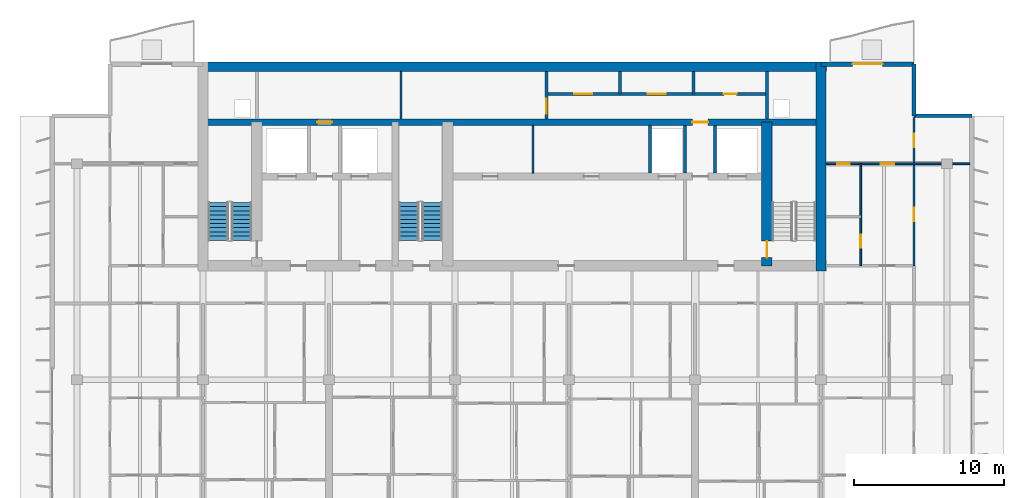
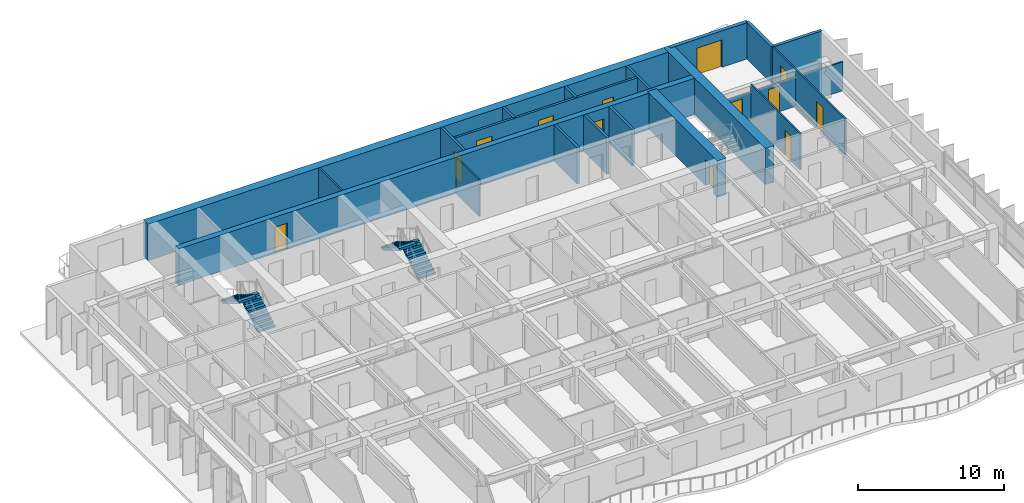
# One storey, part 11 of 17: 20 walls, 13 doors, 4 stair flights, 13 openings, 2 elements without a shape of their own.
"""IFC4 building model written with IfcOpenShell, lengths in metres."""

from ifc_helpers import new_model, si_unit, direction, frame, frame_2d, origin, place, context, subcontext, project, spatial, polyline, rectangle, outline, extrude, material, layer, layer_set, type_object, element, fill, aggregate, save


model = new_model("IFC4")

# Units and contexts
model_context = context("Model", 3, precision=1e-05, world=origin(), true_north=direction((0.0, 1.0)))
body_context = subcontext(model_context, "Body", "Model", "MODEL_VIEW")
ifc_project = project(units=[si_unit("LENGTHUNIT", "METRE"), si_unit("AREAUNIT", "SQUARE_METRE"), si_unit("VOLUMEUNIT", "CUBIC_METRE"), si_unit("PLANEANGLEUNIT", "RADIAN"), si_unit("MASSUNIT", "GRAM", prefix="KILO")], contexts=[model_context])

# Site, building, storey
site_placement = place(None, origin())
site = spatial("IfcSite", under=ifc_project, at=site_placement, CompositionType="ELEMENT")
building_placement = place(site_placement, origin())
building = spatial("IfcBuilding", under=site, at=building_placement, Name="Caelmar Bay Residences", CompositionType="ELEMENT")
storey_placement = place(building_placement, frame((0.0, 0.0, 226.5)))
storey = spatial("IfcBuildingStorey", under=building, at=storey_placement, Name="L63", CompositionType="ELEMENT", Elevation=226.5)

# Wall
ifc_material_1 = material(Name="Concrete f'c 55 MPa (8,000 psi)", Category="concrete")
ifc_layer_1 = layer(ifc_material_1, 0.699951171875)
ifc_layer_set_1 = layer_set([ifc_layer_1], Name="Concrete f'c 55 MPa (8,000 psi)")
wall_type_1 = type_object("IfcWallType", Name="SW-COR-700", PredefinedType="SHEAR", material=ifc_layer_set_1)
wall_1_placement = place(storey_placement, frame((59.5, 36.64990234375, 0.0), z_axis=(0.0, 0.0, 1.0), x_axis=(0.0, 1.0, 0.0)))
element("IfcWall", 1, at=wall_1_placement, inside=storey, type_object=wall_type_1, Name="L63 Rear Core East Shear Wall", PredefinedType="SHEAR", context=body_context, shape_type="SweptSolid", body=[
    extrude(rectangle(XDim=13.9501953125, YDim=0.699951171875, at=frame_2d((6.97509765625, 0.0))), origin(), (0.0, 0.0, 1.0), 3.050048828125),
])

# Wall, opening, door
wall_2_placement = place(storey_placement, frame((55.89990234375, 37.0, 0.0), z_axis=(0.0, 0.0, 1.0), x_axis=(0.0, 1.0, 0.0)))
wall_2 = element("IfcWall", 2, at=wall_2_placement, inside=storey, type_object=wall_type_1, Name="L63 Core Structural Web Wall ST2W", PredefinedType="SHEAR", context=body_context, shape_type="SweptSolid", body=[
    extrude(rectangle(XDim=9.574951171875, YDim=0.699951171875, at=frame_2d((4.78759765625, 0.0))), origin(), (0.0, 0.0, 1.0), 3.050048828125),
])
opening_1_placement = place(wall_2_placement, frame((0.550048828125, 0.0, 0.0)))
opening_1 = element("IfcOpeningElement", 3, at=opening_1_placement, cuts=wall_2, Name="Opening D-L63-110", PredefinedType="OPENING", context=body_context, shape_type="SweptSolid", body=[
    extrude(rectangle(XDim=1.10009765625, YDim=2.14990234375, at=frame_2d((0.550048828125, 1.074951171875))), frame((0.0, 0.35986328125, 0.0), z_axis=(0.0, -1.0, 0.0), x_axis=(1.0, 0.0, 0.0)), (0.0, 0.0, 1.0), 0.719970703125),
])
ifc_material_2 = material(Name="Fire-rated steel and walnut architectural door assembly", Category="steel")
ifc_layer_2 = layer(ifc_material_2, 0.050048828125)
ifc_layer_set_2 = layer_set([ifc_layer_2], Name="Fire-rated steel and walnut architectural door assembly")
door_type_1 = type_object("IfcDoorType", Name="D-STAIR-1100", OperationType="NOTDEFINED", PredefinedType="DOOR", material=ifc_layer_set_2)
door_1_placement = place(opening_1_placement, origin())
door_1 = element("IfcDoor", 4, at=door_1_placement, inside=storey, type_object=door_type_1, Name="L63 Firefighting Lobby East Door", OperationType="SINGLE_SWING_LEFT", OverallHeight=2.14990234375, OverallWidth=1.10009765625, PredefinedType="DOOR", context=body_context, shape_type="SweptSolid", body=[
    extrude(rectangle(XDim=1.10009765625, YDim=2.14990234375, at=frame_2d((0.550048828125, 1.074951171875))), frame((0.0, 0.02490234375, 0.0), z_axis=(0.0, -1.0, 0.0), x_axis=(1.0, 0.0, 0.0)), (0.0, 0.0, 1.0), 0.050048828125),
])
fill(opening_1, door_1)

# Wall
ifc_layer_3 = layer(ifc_material_1, 0.64990234375)
ifc_layer_set_3 = layer_set([ifc_layer_3], Name="Concrete f'c 55 MPa (8,000 psi)")
wall_type_2 = type_object("IfcWallType", Name="SW-CORN-650", PredefinedType="SHEAR", material=ifc_layer_set_3)
wall_3_placement = place(storey_placement, frame((17.949951171875, 50.27490234375, 0.0), z_axis=(0.0, 0.0, 1.0), x_axis=(1.0, 0.0, 0.0)))
element("IfcWall", 5, at=wall_3_placement, inside=storey, type_object=wall_type_2, Name="L63 Rear Core North Shear Wall", PredefinedType="SHEAR", context=body_context, shape_type="SweptSolid", body=[
    extrude(rectangle(XDim=41.900146484375, YDim=0.64990234375, at=frame_2d((20.9501953125, 0.0))), origin(), (0.0, 0.0, 1.0), 3.050048828125),
])

# Wall, openings, doors
ifc_material_3 = material(Name="Concrete f'c 70 MPa (10,000 psi)", Category="concrete")
ifc_layer_4 = layer(ifc_material_3, 0.449951171875)
ifc_layer_set_4 = layer_set([ifc_layer_4], Name="Concrete f'c 70 MPa (10,000 psi)")
wall_type_3 = type_object("IfcWallType", Name="SW-WEB-450", PredefinedType="SHEAR", material=ifc_layer_set_4)
wall_4_placement = place(storey_placement, frame((18.300048828125, 46.574951171875, 0.0), z_axis=(0.0, 0.0, 1.0), x_axis=(1.0, 0.0, 0.0)))
wall_4 = element("IfcWall", 6, at=wall_4_placement, inside=storey, type_object=wall_type_3, Name="L63 Core Structural Web Wall SRVS", PredefinedType="SHEAR", context=body_context, shape_type="SweptSolid", body=[
    extrude(rectangle(XDim=41.199951171875, YDim=0.449951171875, at=frame_2d((20.60009765625, 0.0))), origin(), (0.0, 0.0, 1.0), 3.050048828125),
])
opening_2_placement = place(wall_4_placement, frame((7.60009765625, 0.0, 0.0)))
opening_2 = element("IfcOpeningElement", 7, at=opening_2_placement, cuts=wall_4, Name="Opening D-L63-116", PredefinedType="OPENING", context=body_context, shape_type="SweptSolid", body=[
    extrude(rectangle(XDim=1.0, YDim=2.199951171875, at=frame_2d((0.5, 1.10009765625))), frame((0.0, 0.23486328125, 0.0), z_axis=(0.0, -1.0, 0.0), x_axis=(1.0, 0.0, 0.0)), (0.0, 0.0, 1.0), 0.469970703125),
])
opening_3_placement = place(wall_4_placement, frame((32.625, 0.0, 0.0)))
opening_3 = element("IfcOpeningElement", 8, at=opening_3_placement, cuts=wall_4, Name="Opening D-L63-117", PredefinedType="OPENING", context=body_context, shape_type="SweptSolid", body=[
    extrude(rectangle(XDim=1.050048828125, YDim=2.14990234375, at=frame_2d((0.52490234375, 1.074951171875))), frame((0.0, 0.23486328125, 0.0), z_axis=(0.0, -1.0, 0.0), x_axis=(1.0, 0.0, 0.0)), (0.0, 0.0, 1.0), 0.469970703125),
])
ifc_layer_5 = layer(ifc_material_2, 0.050048828125)
ifc_layer_set_5 = layer_set([ifc_layer_5], Name="Fire-rated steel and walnut architectural door assembly")
door_type_2 = type_object("IfcDoorType", Name="D-FSAE-1050", OperationType="NOTDEFINED", PredefinedType="DOOR", material=ifc_layer_set_5)
door_2_placement = place(opening_3_placement, origin())
door_2 = element("IfcDoor", 9, at=door_2_placement, inside=storey, type_object=door_type_2, Name="L63 East Core Service Corridor Door", OperationType="SINGLE_SWING_RIGHT", OverallHeight=2.14990234375, OverallWidth=1.050048828125, PredefinedType="DOOR", context=body_context, shape_type="SweptSolid", body=[
    extrude(rectangle(XDim=1.050048828125, YDim=2.14990234375, at=frame_2d((0.52490234375, 1.074951171875))), frame((0.0, 0.02490234375, 0.0), z_axis=(0.0, -1.0, 0.0), x_axis=(1.0, 0.0, 0.0)), (0.0, 0.0, 1.0), 0.050048828125),
])
fill(opening_3, door_2)
ifc_layer_6 = layer(ifc_material_2, 0.050048828125)
ifc_layer_set_6 = layer_set([ifc_layer_6], Name="Fire-rated steel and walnut architectural door assembly")
door_type_3 = type_object("IfcDoorType", Name="D-UNIT-1000", OperationType="NOTDEFINED", PredefinedType="DOOR", material=ifc_layer_set_6)
door_3_placement = place(opening_2_placement, origin())
door_3 = element("IfcDoor", 10, at=door_3_placement, inside=storey, type_object=door_type_3, Name="L63 Package Concierge Office Door", OperationType="SINGLE_SWING_LEFT", OverallHeight=2.199951171875, OverallWidth=1.0, PredefinedType="DOOR", context=body_context, shape_type="SweptSolid", body=[
    extrude(rectangle(XDim=1.0, YDim=2.199951171875, at=frame_2d((0.5, 1.10009765625))), frame((0.0, 0.02490234375, 0.0), z_axis=(0.0, -1.0, 0.0), x_axis=(1.0, 0.0, 0.0)), (0.0, 0.0, 1.0), 0.050048828125),
])
fill(opening_2, door_3)

# Wall, opening, door
ifc_material_4 = material(Name="Double-stud acoustic fire-rated gypsum partition 180 mm")
ifc_layer_7 = layer(ifc_material_4, 0.179931640625)
ifc_layer_set_7 = layer_set([ifc_layer_7], Name="Double-stud acoustic fire-rated gypsum partition 180 mm")
wall_type_4 = type_object("IfcWallType", Name="W-COR-200", PredefinedType="PARTITIONING", material=ifc_layer_set_7)
wall_5_placement = place(storey_placement, frame((41.199951171875, 46.794921875, 0.0), z_axis=(0.0, 0.0, 1.0), x_axis=(0.0, 1.0, 0.0)))
wall_5 = element("IfcWall", 11, at=wall_5_placement, inside=storey, type_object=wall_type_4, Name="L63 Partition Wall V054", PredefinedType="PARTITIONING", context=body_context, shape_type="SweptSolid", body=[
    extrude(rectangle(XDim=3.16015625, YDim=0.179931640625, at=frame_2d((1.580078125, 0.0))), origin(), (0.0, 0.0, 1.0), 3.050048828125),
])
opening_4_placement = place(wall_5_placement, frame((0.327392578125, 0.0, 0.0)))
opening_4 = element("IfcOpeningElement", 12, at=opening_4_placement, cuts=wall_5, Name="Opening D-L63-118", PredefinedType="OPENING", context=body_context, shape_type="SweptSolid", body=[
    extrude(rectangle(XDim=1.0, YDim=2.199951171875, at=frame_2d((0.5, 1.10009765625))), frame((0.0, 0.099853515625, 0.0), z_axis=(0.0, -1.0, 0.0), x_axis=(1.0, 0.0, 0.0)), (0.0, 0.0, 1.0), 0.199951171875),
])
door_4_placement = place(opening_4_placement, origin())
door_4 = element("IfcDoor", 13, at=door_4_placement, inside=storey, type_object=door_type_3, Name="L63 Engineering Control Office Door", OperationType="SINGLE_SWING_LEFT", OverallHeight=2.199951171875, OverallWidth=1.0, PredefinedType="DOOR", context=body_context, shape_type="SweptSolid", body=[
    extrude(rectangle(XDim=1.0, YDim=2.199951171875, at=frame_2d((0.5, 1.10009765625))), frame((0.0, 0.02490234375, 0.0), z_axis=(0.0, -1.0, 0.0), x_axis=(1.0, 0.0, 0.0)), (0.0, 0.0, 1.0), 0.050048828125),
])
fill(opening_4, door_4)

# Walls
for number, where, z_axis, x_axis, name in (
    (14, (46.10009765625, 48.449951171875, 0.0), (0.0, 0.0, 1.0), (0.0, 1.0, 0.0), "L63 Partition Wall V061"),
    (15, (51.0, 48.449951171875, 0.0), (0.0, 0.0, 1.0), (0.0, 1.0, 0.0), "L63 Partition Wall V071"),
):
    element("IfcWall", number, at=place(storey_placement, frame(where, z_axis=z_axis, x_axis=x_axis)), inside=storey, type_object=wall_type_4, Name=name, PredefinedType="PARTITIONING", context=body_context, shape_type="SweptSolid", body=[
        extrude(rectangle(XDim=1.505126953125, YDim=0.179931640625, at=frame_2d((0.75244140625, 0.0))), origin(), (0.0, 0.0, 1.0), 3.050048828125),
    ])

# Wall, openings, doors
wall_6_placement = place(storey_placement, frame((41.199951171875, 48.449951171875, 0.0), z_axis=(0.0, 0.0, 1.0), x_axis=(1.0, 0.0, 0.0)))
wall_6 = element("IfcWall", 16, at=wall_6_placement, inside=storey, type_object=wall_type_4, Name="L63 Partition Wall H129", PredefinedType="PARTITIONING", context=body_context, shape_type="SweptSolid", body=[
    extrude(rectangle(XDim=14.699951171875, YDim=0.179931640625, at=frame_2d((7.35009765625, 0.0))), origin(), (0.0, 0.0, 1.0), 3.050048828125),
])
opening_5_placement = place(wall_6_placement, frame((1.85009765625, 0.0, 0.0)))
opening_5 = element("IfcOpeningElement", 17, at=opening_5_placement, cuts=wall_6, Name="Opening D-L63-119", PredefinedType="OPENING", context=body_context, shape_type="SweptSolid", body=[
    extrude(rectangle(XDim=1.199951171875, YDim=2.199951171875, at=frame_2d((0.60009765625, 1.10009765625))), frame((0.0, 0.099853515625, 0.0), z_axis=(0.0, -1.0, 0.0), x_axis=(1.0, 0.0, 0.0)), (0.0, 0.0, 1.0), 0.199951171875),
])
opening_6_placement = place(wall_6_placement, frame((6.75, 0.0, 0.0)))
opening_6 = element("IfcOpeningElement", 18, at=opening_6_placement, cuts=wall_6, Name="Opening D-L63-120", PredefinedType="OPENING", context=body_context, shape_type="SweptSolid", body=[
    extrude(rectangle(XDim=1.199951171875, YDim=2.199951171875, at=frame_2d((0.60009765625, 1.10009765625))), frame((0.0, 0.099853515625, 0.0), z_axis=(0.0, -1.0, 0.0), x_axis=(1.0, 0.0, 0.0)), (0.0, 0.0, 1.0), 0.199951171875),
])
opening_7_placement = place(wall_6_placement, frame((11.824951171875, 0.0, 0.0)))
opening_7 = element("IfcOpeningElement", 19, at=opening_7_placement, cuts=wall_6, Name="Opening D-L63-121", PredefinedType="OPENING", context=body_context, shape_type="SweptSolid", body=[
    extrude(rectangle(XDim=0.85009765625, YDim=2.10009765625, at=frame_2d((0.425048828125, 1.050048828125))), frame((0.0, 0.099853515625, 0.0), z_axis=(0.0, -1.0, 0.0), x_axis=(1.0, 0.0, 0.0)), (0.0, 0.0, 1.0), 0.199951171875),
])
ifc_layer_8 = layer(ifc_material_2, 0.050048828125)
ifc_layer_set_8 = layer_set([ifc_layer_8], Name="Fire-rated steel and walnut architectural door assembly")
door_type_4 = type_object("IfcDoorType", Name="D-CORE-850", OperationType="NOTDEFINED", PredefinedType="DOOR", material=ifc_layer_set_8)
door_5_placement = place(opening_7_placement, origin())
door_5 = element("IfcDoor", 20, at=door_5_placement, inside=storey, type_object=door_type_4, Name="L63 Accessible Staff WC Door", OperationType="SINGLE_SWING_RIGHT", OverallHeight=2.10009765625, OverallWidth=0.85009765625, PredefinedType="DOOR", context=body_context, shape_type="SweptSolid", body=[
    extrude(rectangle(XDim=0.85009765625, YDim=2.10009765625, at=frame_2d((0.425048828125, 1.050048828125))), frame((0.0, 0.02490234375, 0.0), z_axis=(0.0, -1.0, 0.0), x_axis=(1.0, 0.0, 0.0)), (0.0, 0.0, 1.0), 0.050048828125),
])
fill(opening_7, door_5)
ifc_layer_9 = layer(ifc_material_2, 0.050048828125)
ifc_layer_set_9 = layer_set([ifc_layer_9], Name="Fire-rated steel and walnut architectural door assembly")
door_type_5 = type_object("IfcDoorType", Name="D-PLANT-1200", OperationType="NOTDEFINED", PredefinedType="DOOR", material=ifc_layer_set_9)
door_6_placement = place(opening_5_placement, origin())
door_6 = element("IfcDoor", 21, at=door_6_placement, inside=storey, type_object=door_type_5, Name="L63 Electrical Closet Door", OperationType="SINGLE_SWING_RIGHT", OverallHeight=2.199951171875, OverallWidth=1.199951171875, PredefinedType="DOOR", context=body_context, shape_type="SweptSolid", body=[
    extrude(rectangle(XDim=1.199951171875, YDim=2.199951171875, at=frame_2d((0.60009765625, 1.10009765625))), frame((0.0, 0.02490234375, 0.0), z_axis=(0.0, -1.0, 0.0), x_axis=(1.0, 0.0, 0.0)), (0.0, 0.0, 1.0), 0.050048828125),
])
fill(opening_5, door_6)
door_7_placement = place(opening_6_placement, origin())
door_7 = element("IfcDoor", 22, at=door_7_placement, inside=storey, type_object=door_type_5, Name="L63 Housekeeping Linen Closet Door", OperationType="SINGLE_SWING_LEFT", OverallHeight=2.199951171875, OverallWidth=1.199951171875, PredefinedType="DOOR", context=body_context, shape_type="SweptSolid", body=[
    extrude(rectangle(XDim=1.199951171875, YDim=2.199951171875, at=frame_2d((0.60009765625, 1.10009765625))), frame((0.0, 0.02490234375, 0.0), z_axis=(0.0, -1.0, 0.0), x_axis=(1.0, 0.0, 0.0)), (0.0, 0.0, 1.0), 0.050048828125),
])
fill(opening_6, door_7)

# Walls
ifc_material_5 = material(Name="Precast concrete f'c 40 MPa (6,000 psi)", Category="concrete")
ifc_layer_10 = layer(ifc_material_5, 0.25)
ifc_layer_set_10 = layer_set([ifc_layer_10], Name="Precast concrete f'c 40 MPa (6,000 psi)")
wall_type_5 = type_object("IfcWallType", Name="W-EXT-250", PredefinedType="ELEMENTEDWALL", material=ifc_layer_set_10)
wall_7_placement = place(storey_placement, frame((65.699951171875, 50.449951171875, 0.0), z_axis=(0.0, 0.0, 1.0), x_axis=(0.0, -1.0, 0.0)))
element("IfcWall", 23, at=wall_7_placement, inside=storey, type_object=wall_type_5, Name="L63 NNE-V Notch Wall", PredefinedType="ELEMENTEDWALL", context=body_context, shape_type="SweptSolid", body=[
    extrude(rectangle(XDim=3.449951171875, YDim=0.25, at=frame_2d((1.72509765625, 0.0))), origin(), (0.0, 0.0, 1.0), 3.050048828125),
])
wall_8_placement = place(storey_placement, frame((65.699951171875, 47.0, 0.0), z_axis=(0.0, 0.0, 1.0), x_axis=(1.0, 0.0, 0.0)))
element("IfcWall", 24, at=wall_8_placement, inside=storey, type_object=wall_type_5, Name="L63 NNE-H Notch Wall", PredefinedType="ELEMENTEDWALL", context=body_context, shape_type="SweptSolid", body=[
    extrude(rectangle(XDim=3.85009765625, YDim=0.25, at=frame_2d((1.925048828125, 0.0))), origin(), (0.0, 0.0, 1.0), 3.050048828125),
])

# Wall, opening, door
ifc_layer_11 = layer(ifc_material_5, 0.300048828125)
ifc_layer_set_11 = layer_set([ifc_layer_11], Name="Precast concrete f'c 40 MPa (6,000 psi)")
wall_type_6 = type_object("IfcWallType", Name="W-EXT-300", PredefinedType="STANDARD", material=ifc_layer_set_11)
wall_9_placement = place(storey_placement, frame((59.5, 50.449951171875, 0.0), z_axis=(0.0, 0.0, 1.0), x_axis=(1.0, 0.0, 0.0)))
wall_9 = element("IfcWall", 25, at=wall_9_placement, inside=storey, type_object=wall_type_6, Name="L63 North-East Wing Exterior Wall", PredefinedType="STANDARD", context=body_context, shape_type="SweptSolid", body=[
    extrude(rectangle(XDim=6.199951171875, YDim=0.300048828125, at=frame_2d((3.10009765625, 0.0))), origin(), (0.0, 0.0, 1.0), 3.050048828125),
])
opening_8_placement = place(wall_9_placement, frame((2.10009765625, 0.0, 0.0)))
opening_8 = element("IfcOpeningElement", 26, at=opening_8_placement, cuts=wall_9, Name="Opening L63-BDNE", PredefinedType="OPENING", context=body_context, shape_type="SweptSolid", body=[
    extrude(rectangle(XDim=2.0, YDim=2.300048828125, at=frame_2d((1.0, 1.14990234375))), frame((0.0, 0.159912109375, 0.0), z_axis=(0.0, -1.0, 0.0), x_axis=(1.0, 0.0, 0.0)), (0.0, 0.0, 1.0), 0.320068359375),
])
ifc_material_6 = material(Name="Anodised bronze thermally broken sliding glass door", Category="glass")
ifc_layer_12 = layer(ifc_material_6, 0.050048828125)
ifc_layer_set_12 = layer_set([ifc_layer_12], Name="Anodised bronze thermally broken sliding glass door")
door_type_6 = type_object("IfcDoorType", Name="D-BAL-2000", OperationType="DOUBLE_DOOR_SLIDING", PredefinedType="DOOR", material=ifc_layer_set_12)
door_8_placement = place(opening_8_placement, origin())
door_8 = element("IfcDoor", 27, at=door_8_placement, inside=storey, type_object=door_type_6, Name="L63 North-East Balcony Door", OperationType="DOUBLE_DOOR_SLIDING", OverallHeight=2.300048828125, OverallWidth=2.0, PredefinedType="DOOR", context=body_context, shape_type="SweptSolid", body=[
    extrude(rectangle(XDim=2.0, YDim=2.300048828125, at=frame_2d((1.0, 1.14990234375))), frame((0.0, 0.02490234375, 0.0), z_axis=(0.0, -1.0, 0.0), x_axis=(1.0, 0.0, 0.0)), (0.0, 0.0, 1.0), 0.050048828125),
])
fill(opening_8, door_8)

# Walls
ifc_material_7 = material(Name="Fire-rated masonry and gypsum shaftliner assembly 200 mm", Category="masonry")
ifc_layer_13 = layer(ifc_material_7, 0.199951171875)
ifc_layer_set_13 = layer_set([ifc_layer_13], Name="Fire-rated masonry and gypsum shaftliner assembly 200 mm")
wall_type_7 = type_object("IfcWallType", Name="W-FSAE-200", PredefinedType="PARTITIONING", material=ifc_layer_set_13)
for number, where, z_axis, x_axis, name in (
    (28, (48.10009765625, 43.169921875, 0.0), (0.0, 0.0, 1.0), (0.0, 1.0, 0.0), "L63 Partition Wall V067"),
    (29, (50.449951171875, 43.169921875, 0.0), (0.0, 0.0, 1.0), (0.0, 1.0, 0.0), "L63 Partition Wall V070"),
    (30, (52.449951171875, 43.169921875, 0.0), (0.0, 0.0, 1.0), (0.0, 1.0, 0.0), "L63 Partition Wall V075"),
):
    element("IfcWall", number, at=place(storey_placement, frame(where, z_axis=z_axis, x_axis=x_axis)), inside=storey, type_object=wall_type_7, Name=name, PredefinedType="PARTITIONING", context=body_context, shape_type="SweptSolid", body=[
        extrude(rectangle(XDim=3.18505859375, YDim=0.199951171875, at=frame_2d((1.592529296875, 0.0))), origin(), (0.0, 0.0, 1.0), 3.050048828125),
    ])
wall_10_placement = place(storey_placement, frame((55.89990234375, 46.794921875, 0.0), z_axis=(0.0, 0.0, 1.0), x_axis=(0.0, 1.0, 0.0)))
element("IfcWall", 31, at=wall_10_placement, inside=storey, type_object=wall_type_7, Name="L63 Partition Wall V080", PredefinedType="PARTITIONING", context=body_context, shape_type="SweptSolid", body=[
    extrude(rectangle(XDim=3.16015625, YDim=0.199951171875, at=frame_2d((1.580078125, 0.0))), origin(), (0.0, 0.0, 1.0), 3.050048828125),
])
ifc_material_8 = material(Name="Anodised bronze framed acoustic sliding study partition 100 mm")
ifc_layer_14 = layer(ifc_material_8, 0.10009765625)
ifc_layer_set_14 = layer_set([ifc_layer_14], Name="Anodised bronze framed acoustic sliding study partition 100 mm")
wall_type_8 = type_object("IfcWallType", Name="W-MOV-100", PredefinedType="MOVABLE", material=ifc_layer_set_14)
wall_11_placement = place(storey_placement, frame((40.300048828125, 43.169921875, 0.0), z_axis=(0.0, 0.0, 1.0), x_axis=(0.0, 1.0, 0.0)))
element("IfcWall", 32, at=wall_11_placement, inside=storey, type_object=wall_type_8, Name="L63 Partition Wall V051", PredefinedType="MOVABLE", context=body_context, shape_type="SweptSolid", body=[
    extrude(rectangle(XDim=3.18505859375, YDim=0.10009765625, at=frame_2d((1.592529296875, 0.0))), origin(), (0.0, 0.0, 1.0), 3.050048828125),
])
ifc_material_9 = material(Name="Acoustic metal-stud gypsum partition 120 mm")
ifc_layer_15 = layer(ifc_material_9, 0.1201171875)
ifc_layer_set_15 = layer_set([ifc_layer_15], Name="Acoustic metal-stud gypsum partition 120 mm")
wall_type_9 = type_object("IfcWallType", Name="W-PRT-120", PredefinedType="PARTITIONING", material=ifc_layer_set_15)
wall_12_placement = place(storey_placement, frame((31.5, 46.794921875, 0.0), z_axis=(0.0, 0.0, 1.0), x_axis=(0.0, 1.0, 0.0)))
element("IfcWall", 33, at=wall_12_placement, inside=storey, type_object=wall_type_9, Name="L63 Partition Wall V039", PredefinedType="PARTITIONING", context=body_context, shape_type="SweptSolid", body=[
    extrude(rectangle(XDim=3.16015625, YDim=0.1201171875, at=frame_2d((1.580078125, 0.0))), origin(), (0.0, 0.0, 1.0), 3.050048828125),
])

# Wall, opening, door
wall_13_placement = place(storey_placement, frame((62.14990234375, 37.0, 0.0), z_axis=(0.0, 0.0, 1.0), x_axis=(0.0, 1.0, 0.0)))
wall_13 = element("IfcWall", 34, at=wall_13_placement, inside=storey, type_object=wall_type_9, Name="L63 Partition Wall V089", PredefinedType="PARTITIONING", context=body_context, shape_type="SweptSolid", body=[
    extrude(rectangle(XDim=6.800048828125, YDim=0.1201171875, at=frame_2d((3.39990234375, 0.0))), origin(), (0.0, 0.0, 1.0), 3.050048828125),
])
opening_9_placement = place(wall_13_placement, frame((1.20703125, 0.0, 0.0)))
opening_9 = element("IfcOpeningElement", 35, at=opening_9_placement, cuts=wall_13, Name="Opening D-L63-175", PredefinedType="OPENING", context=body_context, shape_type="SweptSolid", body=[
    extrude(rectangle(XDim=0.85009765625, YDim=2.10009765625, at=frame_2d((0.425048828125, 1.050048828125))), frame((0.0, 0.070068359375, 0.0), z_axis=(0.0, -1.0, 0.0), x_axis=(1.0, 0.0, 0.0)), (0.0, 0.0, 1.0), 0.14013671875),
])
ifc_material_10 = material(Name="Solid walnut timber interior door leaf and frame", Category="wood")
ifc_layer_16 = layer(ifc_material_10, 0.050048828125)
ifc_layer_set_16 = layer_set([ifc_layer_16], Name="Solid walnut timber interior door leaf and frame")
door_type_7 = type_object("IfcDoorType", Name="D-BATH-850", OperationType="NOTDEFINED", PredefinedType="DOOR", material=ifc_layer_set_16)
door_9_placement = place(opening_9_placement, origin())
door_9 = element("IfcDoor", 36, at=door_9_placement, inside=storey, type_object=door_type_7, Name="L63 Residence EA Walk-In Closet Door", OperationType="SINGLE_SWING_RIGHT", OverallHeight=2.10009765625, OverallWidth=0.85009765625, PredefinedType="DOOR", context=body_context, shape_type="SweptSolid", body=[
    extrude(rectangle(XDim=0.85009765625, YDim=2.10009765625, at=frame_2d((0.425048828125, 1.050048828125))), frame((0.0, 0.02490234375, 0.0), z_axis=(0.0, -1.0, 0.0), x_axis=(1.0, 0.0, 0.0)), (0.0, 0.0, 1.0), 0.050048828125),
])
fill(opening_9, door_9)

# Wall, openings, doors
wall_14_placement = place(storey_placement, frame((65.699951171875, 37.0048828125, 0.0), z_axis=(0.0, 0.0, 1.0), x_axis=(0.0, 1.0, 0.0)))
wall_14 = element("IfcWall", 37, at=wall_14_placement, inside=storey, type_object=wall_type_9, Name="L63 Partition Wall V100", PredefinedType="PARTITIONING", context=body_context, shape_type="SweptSolid", body=[
    extrude(rectangle(XDim=9.875, YDim=0.1201171875, at=frame_2d((4.9375, 0.0))), origin(), (0.0, 0.0, 1.0), 3.050048828125),
])
opening_10_placement = place(wall_14_placement, frame((2.947509765625, 0.0, 0.0)))
opening_10 = element("IfcOpeningElement", 38, at=opening_10_placement, cuts=wall_14, Name="Opening D-L63-177", PredefinedType="OPENING", context=body_context, shape_type="SweptSolid", body=[
    extrude(rectangle(XDim=0.89990234375, YDim=2.14990234375, at=frame_2d((0.449951171875, 1.074951171875))), frame((0.0, 0.070068359375, 0.0), z_axis=(0.0, -1.0, 0.0), x_axis=(1.0, 0.0, 0.0)), (0.0, 0.0, 1.0), 0.14013671875),
])
opening_11_placement = place(wall_14_placement, frame((7.885009765625, 0.0, 0.0)))
opening_11 = element("IfcOpeningElement", 39, at=opening_11_placement, cuts=wall_14, Name="Opening D-L63-178", PredefinedType="OPENING", context=body_context, shape_type="SweptSolid", body=[
    extrude(rectangle(XDim=0.89990234375, YDim=2.14990234375, at=frame_2d((0.449951171875, 1.074951171875))), frame((0.0, 0.070068359375, 0.0), z_axis=(0.0, -1.0, 0.0), x_axis=(1.0, 0.0, 0.0)), (0.0, 0.0, 1.0), 0.14013671875),
])
ifc_layer_17 = layer(ifc_material_10, 0.050048828125)
ifc_layer_set_17 = layer_set([ifc_layer_17], Name="Solid walnut timber interior door leaf and frame")
door_type_8 = type_object("IfcDoorType", Name="D-ROOM-900", OperationType="NOTDEFINED", PredefinedType="DOOR", material=ifc_layer_set_17)
door_10_placement = place(opening_10_placement, origin())
door_10 = element("IfcDoor", 40, at=door_10_placement, inside=storey, type_object=door_type_8, Name="L63 Residence EA Sun Study Door", OperationType="SINGLE_SWING_RIGHT", OverallHeight=2.14990234375, OverallWidth=0.89990234375, PredefinedType="DOOR", context=body_context, shape_type="SweptSolid", body=[
    extrude(rectangle(XDim=0.89990234375, YDim=2.14990234375, at=frame_2d((0.449951171875, 1.074951171875))), frame((0.0, 0.02490234375, 0.0), z_axis=(0.0, -1.0, 0.0), x_axis=(1.0, 0.0, 0.0)), (0.0, 0.0, 1.0), 0.050048828125),
])
fill(opening_10, door_10)
door_11_placement = place(opening_11_placement, origin())
door_11 = element("IfcDoor", 41, at=door_11_placement, inside=storey, type_object=door_type_8, Name="L63 Residence EA North Sitting Alcove Door", OperationType="SINGLE_SWING_LEFT", OverallHeight=2.14990234375, OverallWidth=0.89990234375, PredefinedType="DOOR", context=body_context, shape_type="SweptSolid", body=[
    extrude(rectangle(XDim=0.89990234375, YDim=2.14990234375, at=frame_2d((0.449951171875, 1.074951171875))), frame((0.0, 0.02490234375, 0.0), z_axis=(0.0, -1.0, 0.0), x_axis=(1.0, 0.0, 0.0)), (0.0, 0.0, 1.0), 0.050048828125),
])
fill(opening_11, door_11)

wall_15_placement = place(storey_placement, frame((59.844970703125, 43.800048828125, 0.0), z_axis=(0.0, 0.0, 1.0), x_axis=(1.0, 0.0, 0.0)))
wall_15 = element("IfcWall", 42, at=wall_15_placement, inside=storey, type_object=wall_type_9, Name="L63 Partition Wall H128", PredefinedType="PARTITIONING", context=body_context, shape_type="SweptSolid", body=[
    extrude(rectangle(XDim=9.56005859375, YDim=0.1201171875, at=frame_2d((4.780029296875, 0.0))), origin(), (0.0, 0.0, 1.0), 2.41796875),
])
opening_12_placement = place(wall_15_placement, frame((3.6298828125, 0.0, 0.0)))
opening_12 = element("IfcOpeningElement", 43, at=opening_12_placement, cuts=wall_15, Name="Opening D-L63-174", PredefinedType="OPENING", context=body_context, shape_type="SweptSolid", body=[
    extrude(rectangle(XDim=0.89990234375, YDim=2.14990234375, at=frame_2d((0.449951171875, 1.074951171875))), frame((0.0, 0.070068359375, 0.0), z_axis=(0.0, -1.0, 0.0), x_axis=(1.0, 0.0, 0.0)), (0.0, 0.0, 1.0), 0.14013671875),
])
opening_13_placement = place(wall_15_placement, frame((0.7275390625, 0.0, 0.0)))
opening_13 = element("IfcOpeningElement", 44, at=opening_13_placement, cuts=wall_15, Name="Opening D-L63-176", PredefinedType="OPENING", context=body_context, shape_type="SweptSolid", body=[
    extrude(rectangle(XDim=0.85009765625, YDim=2.10009765625, at=frame_2d((0.425048828125, 1.050048828125))), frame((0.0, 0.070068359375, 0.0), z_axis=(0.0, -1.0, 0.0), x_axis=(1.0, 0.0, 0.0)), (0.0, 0.0, 1.0), 0.14013671875),
])
door_12_placement = place(opening_13_placement, origin())
door_12 = element("IfcDoor", 45, at=door_12_placement, inside=storey, type_object=door_type_7, Name="L63 Residence EA Bathroom Door", OperationType="SINGLE_SWING_LEFT", OverallHeight=2.10009765625, OverallWidth=0.85009765625, PredefinedType="DOOR", context=body_context, shape_type="SweptSolid", body=[
    extrude(rectangle(XDim=0.85009765625, YDim=2.10009765625, at=frame_2d((0.425048828125, 1.050048828125))), frame((0.0, 0.02490234375, 0.0), z_axis=(0.0, -1.0, 0.0), x_axis=(1.0, 0.0, 0.0)), (0.0, 0.0, 1.0), 0.050048828125),
])
fill(opening_13, door_12)
door_13_placement = place(opening_12_placement, origin())
door_13 = element("IfcDoor", 46, at=door_13_placement, inside=storey, type_object=door_type_8, Name="L63 Residence EA Studio Living and Sleeping Room Door", OperationType="SINGLE_SWING_LEFT", OverallHeight=2.14990234375, OverallWidth=0.89990234375, PredefinedType="DOOR", context=body_context, shape_type="SweptSolid", body=[
    extrude(rectangle(XDim=0.89990234375, YDim=2.14990234375, at=frame_2d((0.449951171875, 1.074951171875))), frame((0.0, 0.02490234375, 0.0), z_axis=(0.0, -1.0, 0.0), x_axis=(1.0, 0.0, 0.0)), (0.0, 0.0, 1.0), 0.050048828125),
])
fill(opening_12, door_13)

# Stair, stair flights
ifc_material_11 = material(Name="Concrete f'c 40 MPa (6,000 psi)", Category="concrete")
stair_type = type_object("IfcStairType", Name="ST-TYP-165", PredefinedType="HALF_TURN_STAIR", material=ifc_material_11)
stair_1_placement = place(storey_placement, origin())
stair_1 = element("IfcStair", 47, at=stair_1_placement, inside=storey, type_object=stair_type, Name="L63 West Smokeproof Exit Stair ST1", PredefinedType="HALF_TURN_STAIR")
stair_flight_type = type_object("IfcStairFlightType", Name="STF-1350", PredefinedType="STRAIGHT", material=ifc_material_11)
stair_flight_1_placement = place(storey_placement, frame((20.875, 38.699951171875, 0.0), z_axis=(0.0, 0.0, 1.0), x_axis=(0.0, 1.0, 0.0)))
stair_flight_1 = element("IfcStairFlight", 48, at=stair_flight_1_placement, type_object=stair_flight_type, Name="ST1 flight 1", NumberOfRisers=10, NumberOfTreads=9, PredefinedType="STRAIGHT", RiserHeight=0.165, TreadLength=0.28, context=body_context, shape_type="SweptSolid", body=[
    extrude(outline(polyline([(0.0, 0.0), (0.0, 0.1650390625), (0.280029296875, 0.1650390625), (0.280029296875, 0.330078125), (0.56005859375, 0.330078125), (0.56005859375, 0.4951171875), (0.840087890625, 0.4951171875), (0.840087890625, 0.659912109375), (1.1201171875, 0.659912109375), (1.1201171875, 0.824951171875), (1.39990234375, 0.824951171875), (1.39990234375, 0.989990234375), (1.679931640625, 0.989990234375), (1.679931640625, 1.155029296875), (1.9599609375, 1.155029296875), (1.9599609375, 1.320068359375), (2.239990234375, 1.320068359375), (2.239990234375, 1.485107421875), (2.52001953125, 1.485107421875), (2.52001953125, 1.64990234375), (2.52001953125, 1.31103515625), (0.295166015625, 0.0), (0.0, 0.0)])), frame((0.0, 0.675048828125, 0.0), z_axis=(0.0, -1.0, 0.0), x_axis=(1.0, 0.0, 0.0)), (0.0, 0.0, 1.0), 1.35009765625),
])
stair_flight_2_placement = place(storey_placement, frame((19.324951171875, 41.219970703125, 1.64990234375), z_axis=(0.0, 0.0, 1.0), x_axis=(0.0, -1.0, 0.0)))
stair_flight_2 = element("IfcStairFlight", 49, at=stair_flight_2_placement, type_object=stair_flight_type, Name="ST1 flight 2", NumberOfRisers=10, NumberOfTreads=9, PredefinedType="STRAIGHT", RiserHeight=0.165, TreadLength=0.28, context=body_context, shape_type="SweptSolid", body=[
    extrude(outline(polyline([(0.0, 0.0), (0.0, 0.1650390625), (0.280029296875, 0.1650390625), (0.280029296875, 0.330078125), (0.56005859375, 0.330078125), (0.56005859375, 0.4951171875), (0.840087890625, 0.4951171875), (0.840087890625, 0.659912109375), (1.1201171875, 0.659912109375), (1.1201171875, 0.824951171875), (1.39990234375, 0.824951171875), (1.39990234375, 0.989990234375), (1.679931640625, 0.989990234375), (1.679931640625, 1.155029296875), (1.9599609375, 1.155029296875), (1.9599609375, 1.320068359375), (2.239990234375, 1.320068359375), (2.239990234375, 1.485107421875), (2.52001953125, 1.485107421875), (2.52001953125, 1.64990234375), (2.52001953125, 1.31103515625), (0.295166015625, 0.0), (0.0, 0.0)])), frame((0.0, 0.675048828125, 0.0), z_axis=(0.0, -1.0, 0.0), x_axis=(1.0, 0.0, 0.0)), (0.0, 0.0, 1.0), 1.35009765625),
])
aggregate(stair_1, [stair_flight_1, stair_flight_2])

stair_2_placement = place(storey_placement, origin())
stair_2 = element("IfcStair", 50, at=stair_2_placement, inside=storey, type_object=stair_type, Name="L63 Central Smokeproof Exit Stair ST3", PredefinedType="HALF_TURN_STAIR")
stair_flight_3_placement = place(storey_placement, frame((33.574951171875, 38.699951171875, 0.0), z_axis=(0.0, 0.0, 1.0), x_axis=(0.0, 1.0, 0.0)))
stair_flight_3 = element("IfcStairFlight", 51, at=stair_flight_3_placement, type_object=stair_flight_type, Name="ST3 flight 1", NumberOfRisers=10, NumberOfTreads=9, PredefinedType="STRAIGHT", RiserHeight=0.165, TreadLength=0.28, context=body_context, shape_type="SweptSolid", body=[
    extrude(outline(polyline([(0.0, 0.0), (0.0, 0.1650390625), (0.280029296875, 0.1650390625), (0.280029296875, 0.330078125), (0.56005859375, 0.330078125), (0.56005859375, 0.4951171875), (0.840087890625, 0.4951171875), (0.840087890625, 0.659912109375), (1.1201171875, 0.659912109375), (1.1201171875, 0.824951171875), (1.39990234375, 0.824951171875), (1.39990234375, 0.989990234375), (1.679931640625, 0.989990234375), (1.679931640625, 1.155029296875), (1.9599609375, 1.155029296875), (1.9599609375, 1.320068359375), (2.239990234375, 1.320068359375), (2.239990234375, 1.485107421875), (2.52001953125, 1.485107421875), (2.52001953125, 1.64990234375), (2.52001953125, 1.31103515625), (0.295166015625, 0.0), (0.0, 0.0)])), frame((0.0, 0.675048828125, 0.0), z_axis=(0.0, -1.0, 0.0), x_axis=(1.0, 0.0, 0.0)), (0.0, 0.0, 1.0), 1.35009765625),
])
stair_flight_4_placement = place(storey_placement, frame((32.02490234375, 41.219970703125, 1.64990234375), z_axis=(0.0, 0.0, 1.0), x_axis=(0.0, -1.0, 0.0)))
stair_flight_4 = element("IfcStairFlight", 52, at=stair_flight_4_placement, type_object=stair_flight_type, Name="ST3 flight 2", NumberOfRisers=10, NumberOfTreads=9, PredefinedType="STRAIGHT", RiserHeight=0.165, TreadLength=0.28, context=body_context, shape_type="SweptSolid", body=[
    extrude(outline(polyline([(0.0, 0.0), (0.0, 0.1650390625), (0.280029296875, 0.1650390625), (0.280029296875, 0.330078125), (0.56005859375, 0.330078125), (0.56005859375, 0.4951171875), (0.840087890625, 0.4951171875), (0.840087890625, 0.659912109375), (1.1201171875, 0.659912109375), (1.1201171875, 0.824951171875), (1.39990234375, 0.824951171875), (1.39990234375, 0.989990234375), (1.679931640625, 0.989990234375), (1.679931640625, 1.155029296875), (1.9599609375, 1.155029296875), (1.9599609375, 1.320068359375), (2.239990234375, 1.320068359375), (2.239990234375, 1.485107421875), (2.52001953125, 1.485107421875), (2.52001953125, 1.64990234375), (2.52001953125, 1.31103515625), (0.295166015625, 0.0), (0.0, 0.0)])), frame((0.0, 0.675048828125, 0.0), z_axis=(0.0, -1.0, 0.0), x_axis=(1.0, 0.0, 0.0)), (0.0, 0.0, 1.0), 1.35009765625),
])
aggregate(stair_2, [stair_flight_3, stair_flight_4])

save(model, "model.ifc")
